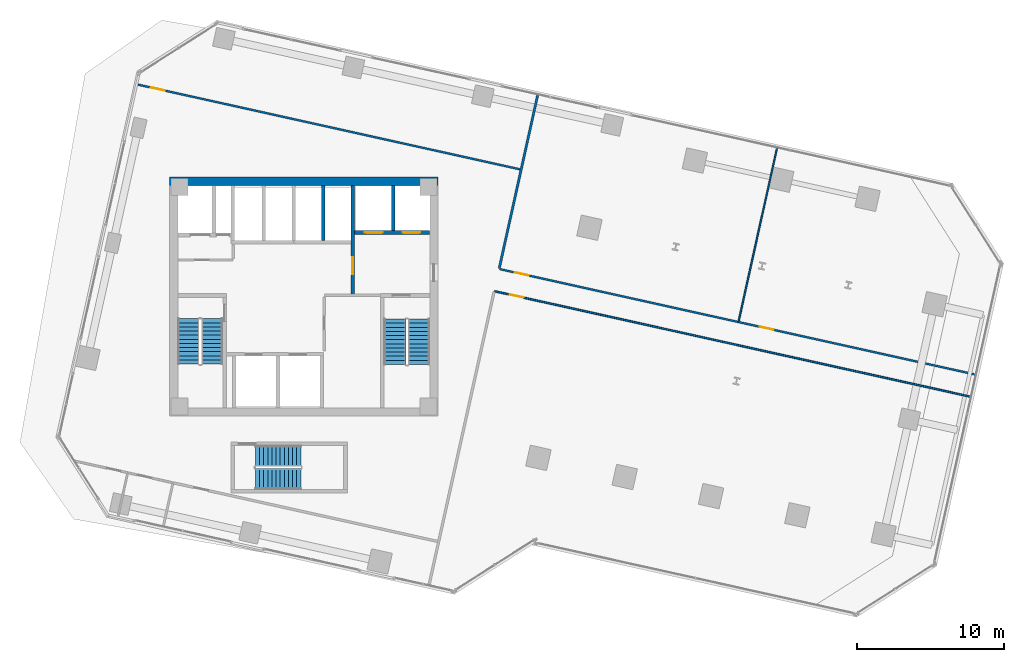
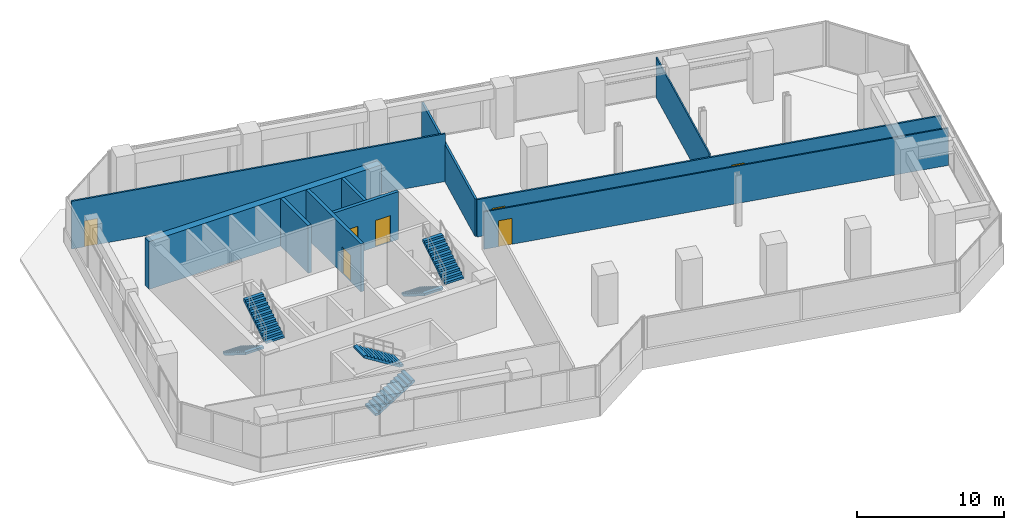
# One storey, part 21 of 25: 10 walls, 7 doors, 6 stair flights, 7 openings, 3 elements without a shape of their own.
"""IFC4 building model written with IfcOpenShell, lengths in metres."""

from ifc_helpers import new_model, si_unit, direction, frame, frame_2d, origin, place, context, subcontext, project, spatial, polyline, rectangle, outline, extrude, source, transform, mapped, material, layer, layer_set, type_object, element, fill, aggregate, save


model = new_model("IFC4")

# Units and contexts
model_context = context("Model", 3, precision=1e-05, world=origin(), true_north=direction((0.0, 1.0)))
body_context = subcontext(model_context, "Body", "Model", "MODEL_VIEW")
ifc_project = project(units=[si_unit("LENGTHUNIT", "METRE"), si_unit("AREAUNIT", "SQUARE_METRE"), si_unit("VOLUMEUNIT", "CUBIC_METRE"), si_unit("PLANEANGLEUNIT", "RADIAN"), si_unit("MASSUNIT", "GRAM", prefix="KILO")], contexts=[model_context])

# Site, building, storey
site_placement = place(None, origin())
site = spatial("IfcSite", under=ifc_project, at=site_placement, CompositionType="ELEMENT")
building_placement = place(site_placement, origin())
building = spatial("IfcBuilding", under=site, at=building_placement, Name="Torre Montelarca", CompositionType="ELEMENT")
storey_placement = place(building_placement, frame((0.0, 0.0, 87.39990234375)))
storey = spatial("IfcBuildingStorey", under=building, at=storey_placement, Name="L19", CompositionType="ELEMENT", Elevation=87.39990234375)

# Wall, opening, door
ifc_material_1 = material(Name="Concrete C40/50", Category="concrete")
ifc_layer_1 = layer(ifc_material_1, 0.25, Name="Concrete C40/50", Category="concrete")
ifc_layer_set_1 = layer_set([ifc_layer_1], Name="Concrete C40/50")
wall_type_1 = type_object("IfcWallType", Name="CW-SHAFT-250", PredefinedType="SHEAR", material=ifc_layer_set_1)
wall_1_placement = place(storey_placement, frame((21.320068359375, 32.1201171875, 0.0), z_axis=(0.0, 0.0, 1.0), x_axis=(0.0, 1.0, 0.0)))
wall_1 = element("IfcWall", 1, at=wall_1_placement, inside=storey, type_object=wall_type_1, Name="L19 Core Shear Wall SH-FFL-W", PredefinedType="SHEAR", context=body_context, shape_type="SweptSolid", body=[
    extrude(rectangle(XDim=7.419921875, YDim=0.25, at=frame_2d((3.7099609375, 0.0))), origin(), (0.0, 0.0, 1.0), 3.960205078125),
])
opening_1_placement = place(wall_1_placement, frame((1.39990234375, 0.0, 0.0)))
opening_1 = element("IfcOpeningElement", 2, at=opening_1_placement, cuts=wall_1, Name="Opening FD-LB1", PredefinedType="OPENING", context=body_context, shape_type="SweptSolid", body=[
    extrude(rectangle(XDim=1.14990234375, YDim=2.199951171875, at=frame_2d((0.574951171875, 1.10009765625))), frame((0.0, 0.135009765625, 0.0), z_axis=(0.0, -1.0, 0.0), x_axis=(1.0, 0.0, 0.0)), (0.0, 0.0, 1.0), 0.27001953125),
])
ifc_material_2 = material(Name="Acoustic timber-veneered fire door", Category="wood")
door_type_1 = type_object("IfcDoorType", Name="DR-LOBBY-115", OperationType="NOTDEFINED", PredefinedType="DOOR", material=ifc_material_2)
shared_shape_1 = source(origin(), body_context, "Body", "SweptSolid", [
    extrude(rectangle(XDim=1.14990234375, YDim=2.199951171875, at=frame_2d((0.574951171875, 1.10009765625))), frame((0.0, 0.02490234375, 0.0), z_axis=(0.0, -1.0, 0.0), x_axis=(1.0, 0.0, 0.0)), (0.0, 0.0, 1.0), 0.050048828125),
])
door_1_placement = place(opening_1_placement, origin())
door_1 = element("IfcDoor", 3, at=door_1_placement, inside=storey, type_object=door_type_1, Name="L19 Lift Lobby to Firefighting Lobby Smoke Door", OperationType="SINGLE_SWING_LEFT", OverallHeight=2.199951171875, OverallWidth=1.14990234375, PredefinedType="DOOR", context=body_context, shape_type="MappedRepresentation", body=[
    mapped(shared_shape_1, transform((0.0, 0.0, 0.0), scale=1.0)),
])
fill(opening_1, door_1)

# Wall, openings, doors
wall_2_placement = place(storey_placement, frame((21.449951171875, 36.35009765625, 0.0), z_axis=(0.0, 0.0, 1.0), x_axis=(1.0, 0.0, 0.0)))
wall_2 = element("IfcWall", 4, at=wall_2_placement, inside=storey, type_object=wall_type_1, Name="L19 Core Shear Wall SH-FF-S", PredefinedType="SHEAR", context=body_context, shape_type="SweptSolid", body=[
    extrude(rectangle(XDim=5.090087890625, YDim=0.25, at=frame_2d((2.544921875, 0.0))), origin(), (0.0, 0.0, 1.0), 3.960205078125),
])
opening_2_placement = place(wall_2_placement, frame((0.699951171875, 0.0, 0.0)))
opening_2 = element("IfcOpeningElement", 5, at=opening_2_placement, cuts=wall_2, Name="Opening LD-120", PredefinedType="OPENING", context=body_context, shape_type="SweptSolid", body=[
    extrude(rectangle(XDim=1.199951171875, YDim=2.199951171875, at=frame_2d((0.60009765625, 1.10009765625))), frame((0.0, 0.135009765625, 0.0), z_axis=(0.0, -1.0, 0.0), x_axis=(1.0, 0.0, 0.0)), (0.0, 0.0, 1.0), 0.27001953125),
])
opening_3_placement = place(wall_2_placement, frame((3.25, 0.0, 0.0)))
opening_3 = element("IfcOpeningElement", 6, at=opening_3_placement, cuts=wall_2, Name="Opening LD-120", PredefinedType="OPENING", context=body_context, shape_type="SweptSolid", body=[
    extrude(rectangle(XDim=1.199951171875, YDim=2.199951171875, at=frame_2d((0.60009765625, 1.10009765625))), frame((0.0, 0.135009765625, 0.0), z_axis=(0.0, -1.0, 0.0), x_axis=(1.0, 0.0, 0.0)), (0.0, 0.0, 1.0), 0.27001953125),
])
ifc_material_3 = material(Name="Brushed stainless steel AISI 316", Category="steel")
door_type_2 = type_object("IfcDoorType", Name="DR-LIFT-120", OperationType="SLIDING_TO_RIGHT", PredefinedType="DOOR", material=ifc_material_3)
shared_shape_2 = source(origin(), body_context, "Body", "SweptSolid", [
    extrude(rectangle(XDim=1.199951171875, YDim=2.199951171875, at=frame_2d((0.60009765625, 1.10009765625))), frame((0.0, 0.02490234375, 0.0), z_axis=(0.0, -1.0, 0.0), x_axis=(1.0, 0.0, 0.0)), (0.0, 0.0, 1.0), 0.050048828125),
])
door_2_placement = place(opening_2_placement, origin())
door_2 = element("IfcDoor", 7, at=door_2_placement, inside=storey, type_object=door_type_2, Name="L19 Lift Landing Sliding Door FF-1", OperationType="SLIDING_TO_LEFT", OverallHeight=2.199951171875, OverallWidth=1.199951171875, PredefinedType="DOOR", context=body_context, shape_type="MappedRepresentation", body=[
    mapped(shared_shape_2, transform((0.0, 0.0, 0.0), scale=1.0)),
])
fill(opening_2, door_2)
door_3_placement = place(opening_3_placement, origin())
door_3 = element("IfcDoor", 8, at=door_3_placement, inside=storey, type_object=door_type_2, Name="L19 Lift Landing Sliding Door FF-2", OperationType="SLIDING_TO_RIGHT", OverallHeight=2.199951171875, OverallWidth=1.199951171875, PredefinedType="DOOR", context=body_context, shape_type="MappedRepresentation", body=[
    mapped(shared_shape_2, transform((0.0, 0.0, 0.0), scale=1.0)),
])
fill(opening_3, door_3)

# Walls
wall_3_placement = place(storey_placement, frame((24.080078125, 36.47998046875, 0.0), z_axis=(0.0, 0.0, 1.0), x_axis=(0.0, 1.0, 0.0)))
element("IfcWall", 9, at=wall_3_placement, inside=storey, type_object=wall_type_1, Name="L19 Core Shear Wall SH-FF-M", PredefinedType="SHEAR", context=body_context, shape_type="SweptSolid", body=[
    extrude(rectangle(XDim=3.06005859375, YDim=0.25, at=frame_2d((1.530029296875, 0.0))), origin(), (0.0, 0.0, 1.0), 3.960205078125),
])
wall_4_placement = place(storey_placement, frame((19.320068359375, 35.81005859375, 0.0), z_axis=(0.0, 0.0, 1.0), x_axis=(0.0, 1.0, 0.0)))
element("IfcWall", 10, at=wall_4_placement, inside=storey, type_object=wall_type_1, Name="L19 Core Shear Wall SH-PLH-M", PredefinedType="SHEAR", context=body_context, shape_type="SweptSolid", body=[
    extrude(rectangle(XDim=3.72998046875, YDim=0.25, at=frame_2d((1.864990234375, 0.0))), origin(), (0.0, 0.0, 1.0), 3.960205078125),
])
ifc_material_4 = material(Name="Concrete C70/85", Category="concrete")
ifc_layer_2 = layer(ifc_material_4, 0.550048828125, Name="Concrete C70/85", Category="concrete")
ifc_layer_set_2 = layer_set([ifc_layer_2], Name="Concrete C70/85")
wall_type_2 = type_object("IfcWallType", Name="CW-SHEAR-550", PredefinedType="SHEAR", material=ifc_layer_set_2)
wall_5_placement = place(storey_placement, frame((8.89990234375, 39.824951171875, 0.0), z_axis=(0.0, 0.0, 1.0), x_axis=(1.0, 0.0, 0.0)))
element("IfcWall", 11, at=wall_5_placement, inside=storey, type_object=wall_type_2, Name="L19 Core Shear Wall CW-N1", PredefinedType="SHEAR", context=body_context, shape_type="SweptSolid", body=[
    extrude(rectangle(XDim=18.2001953125, YDim=0.550048828125, at=frame_2d((9.10009765625, 0.0))), origin(), (0.0, 0.0, 1.0), 3.960205078125),
])
ifc_material_5 = material(Name="Gypsum plasterboard on steel stud", Category="steel")
ifc_layer_3 = layer(ifc_material_5, 0.159912109375, Name="Gypsum plasterboard on steel stud", Category="steel")
ifc_layer_set_3 = layer_set([ifc_layer_3], Name="Gypsum plasterboard on steel stud")
wall_type_3 = type_object("IfcWallType", Name="PW-FIRE-160", PredefinedType="PARTITIONING", material=ifc_layer_set_3)
wall_6_placement = place(storey_placement, frame((31.265380859375, 33.911865234375, 0.0), z_axis=(0.0, 0.0, 1.0), x_axis=(0.216425867349, 0.976299054564, 0.0)))
element("IfcWall", 12, at=wall_6_placement, inside=storey, type_object=wall_type_3, Name="L19 Interior Partition W-L19-ECN", PredefinedType="PARTITIONING", context=body_context, shape_type="SweptSolid", body=[
    extrude(rectangle(XDim=12.039794921875, YDim=0.159912109375, at=frame_2d((6.02001953125, 0.0))), origin(), (0.0, 0.0, 1.0), 3.09521484375),
])
ifc_material_6 = material(Name="Acoustic laminated glass partition", Category="glass")
ifc_layer_4 = layer(ifc_material_6, 0.10009765625, Name="Acoustic laminated glass partition", Category="glass")
ifc_layer_set_4 = layer_set([ifc_layer_4], Name="Acoustic laminated glass partition")
wall_type_4 = type_object("IfcWallType", Name="PW-GLAZ-100", PredefinedType="PARTITIONING", material=ifc_layer_set_4)
wall_7_placement = place(storey_placement, frame((47.510986328125, 30.310302734375, 0.0), z_axis=(0.0, 0.0, 1.0), x_axis=(0.216425867349, 0.976299054564, 0.0)))
element("IfcWall", 13, at=wall_7_placement, inside=storey, type_object=wall_type_4, Name="L19 Interior Partition W-L19-NEDIV-1", PredefinedType="PARTITIONING", context=body_context, shape_type="SweptSolid", body=[
    extrude(rectangle(XDim=12.039794921875, YDim=0.10009765625, at=frame_2d((6.02001953125, 0.0))), origin(), (0.0, 0.0, 1.0), 3.322998046875),
])

# Wall, opening, door
ifc_layer_5 = layer(ifc_material_5, 0.114990234375, Name="Gypsum plasterboard on steel stud", Category="steel")
ifc_layer_set_5 = layer_set([ifc_layer_5], Name="Gypsum plasterboard on steel stud")
wall_type_5 = type_object("IfcWallType", Name="PW-PART-115", PredefinedType="PARTITIONING", material=ifc_layer_set_5)
wall_8_placement = place(storey_placement, frame((30.96240234375, 32.360595703125, 0.0), z_axis=(0.0, 0.0, 1.0), x_axis=(0.976295538171, -0.216441729221, 0.0)))
wall_8 = element("IfcWall", 14, at=wall_8_placement, inside=storey, type_object=wall_type_5, Name="L19 Interior Partition W-L19-SE-N", PredefinedType="PARTITIONING", context=body_context, shape_type="SweptSolid", body=[
    extrude(rectangle(XDim=33.059814453125, YDim=0.114990234375, at=frame_2d((16.52978515625, 0.0))), origin(), (0.0, 0.0, 1.0), 3.09521484375),
])
opening_4_placement = place(wall_8_placement, frame((1.050048828125, 0.0, 0.0)))
opening_4 = element("IfcOpeningElement", 15, at=opening_4_placement, cuts=wall_8, Name="Opening ID-095", PredefinedType="OPENING", context=body_context, shape_type="SweptSolid", body=[
    extrude(rectangle(XDim=0.949951171875, YDim=2.14990234375, at=frame_2d((0.47509765625, 1.074951171875))), frame((0.0, 0.0673828125, 0.0), z_axis=(0.0, -1.0, 0.0), x_axis=(1.0, 0.0, 0.0)), (0.0, 0.0, 1.0), 0.135009765625),
])
ifc_material_7 = material(Name="Hardwood acoustic timber veneer", Category="wood")
door_type_3 = type_object("IfcDoorType", Name="DR-INT-095", OperationType="NOTDEFINED", PredefinedType="DOOR", material=ifc_material_7)
shared_shape_3 = source(origin(), body_context, "Body", "SweptSolid", [
    extrude(rectangle(XDim=0.949951171875, YDim=2.14990234375, at=frame_2d((0.47509765625, 1.074951171875))), frame((0.0, 0.02490234375, 0.0), z_axis=(0.0, -1.0, 0.0), x_axis=(1.0, 0.0, 0.0)), (0.0, 0.0, 1.0), 0.050048828125),
])
door_4_placement = place(opening_4_placement, origin())
door_4 = element("IfcDoor", 16, at=door_4_placement, inside=storey, type_object=door_type_3, Name="L19 Interior Door 09", OperationType="SINGLE_SWING_LEFT", OverallHeight=2.14990234375, OverallWidth=0.949951171875, PredefinedType="DOOR", context=body_context, shape_type="MappedRepresentation", body=[
    mapped(shared_shape_3, transform((0.0, 0.0, 0.0), scale=1.0)),
])
fill(opening_4, door_4)

ifc_layer_6 = layer(ifc_material_5, 0.135009765625, Name="Gypsum plasterboard on steel stud", Category="steel")
ifc_layer_set_6 = layer_set([ifc_layer_6], Name="Gypsum plasterboard on steel stud")
wall_type_6 = type_object("IfcWallType", Name="PW-PART-135", PredefinedType="PARTITIONING", material=ifc_layer_set_6)
wall_9_placement = place(storey_placement, frame((6.74365234375, 46.384765625, 0.0), z_axis=(0.0, 0.0, 1.0), x_axis=(0.976297719541, -0.216431889561, 0.0)))
wall_9 = element("IfcWall", 17, at=wall_9_placement, inside=storey, type_object=wall_type_6, Name="L19 Interior Partition W-L19-NBOT", PredefinedType="PARTITIONING", context=body_context, shape_type="SweptSolid", body=[
    extrude(rectangle(XDim=26.599853515625, YDim=0.135009765625, at=frame_2d((13.2998046875, 0.0))), origin(), (0.0, 0.0, 1.0), 3.960205078125),
])
opening_5_placement = place(wall_9_placement, frame((0.909912109375, 0.0, 0.0)))
opening_5 = element("IfcOpeningElement", 18, at=opening_5_placement, cuts=wall_9, Name="Opening ID-095", PredefinedType="OPENING", context=body_context, shape_type="SweptSolid", body=[
    extrude(rectangle(XDim=0.949951171875, YDim=2.14990234375, at=frame_2d((0.47509765625, 1.074951171875))), frame((0.0, 0.07763671875, 0.0), z_axis=(0.0, -1.0, 0.0), x_axis=(1.0, 0.0, 0.0)), (0.0, 0.0, 1.0), 0.155029296875),
])
door_5_placement = place(opening_5_placement, origin())
door_5 = element("IfcDoor", 19, at=door_5_placement, inside=storey, type_object=door_type_3, Name="L19 Interior Door 06", OperationType="SINGLE_SWING_LEFT", OverallHeight=2.14990234375, OverallWidth=0.949951171875, PredefinedType="DOOR", context=body_context, shape_type="MappedRepresentation", body=[
    mapped(shared_shape_3, transform((0.0, 0.0, 0.0), scale=1.0)),
])
fill(opening_5, door_5)

# Wall, openings, doors
wall_10_placement = place(storey_placement, frame((31.295654296875, 33.864013671875, 0.0), z_axis=(0.0, 0.0, 1.0), x_axis=(0.976295884124, -0.216440168738, 0.0)))
wall_10 = element("IfcWall", 20, at=wall_10_placement, inside=storey, type_object=wall_type_6, Name="L19 Interior Partition W-L19-NE-S", PredefinedType="PARTITIONING", context=body_context, shape_type="SweptSolid", body=[
    extrude(rectangle(XDim=33.06005859375, YDim=0.135009765625, at=frame_2d((16.530029296875, 0.0))), origin(), (0.0, 0.0, 1.0), 3.09521484375),
])
opening_6_placement = place(wall_10_placement, frame((1.050048828125, 0.0, 0.0)))
opening_6 = element("IfcOpeningElement", 21, at=opening_6_placement, cuts=wall_10, Name="Opening ID-095", PredefinedType="OPENING", context=body_context, shape_type="SweptSolid", body=[
    extrude(rectangle(XDim=0.949951171875, YDim=2.14990234375, at=frame_2d((0.47509765625, 1.074951171875))), frame((0.0, 0.07763671875, 0.0), z_axis=(0.0, -1.0, 0.0), x_axis=(1.0, 0.0, 0.0)), (0.0, 0.0, 1.0), 0.155029296875),
])
opening_7_placement = place(wall_10_placement, frame((18.090087890625, 0.0, 0.0)))
opening_7 = element("IfcOpeningElement", 22, at=opening_7_placement, cuts=wall_10, Name="Opening ID-095", PredefinedType="OPENING", context=body_context, shape_type="SweptSolid", body=[
    extrude(rectangle(XDim=0.949951171875, YDim=2.14990234375, at=frame_2d((0.47509765625, 1.074951171875))), frame((0.0, 0.07763671875, 0.0), z_axis=(0.0, -1.0, 0.0), x_axis=(1.0, 0.0, 0.0)), (0.0, 0.0, 1.0), 0.155029296875),
])
door_6_placement = place(opening_6_placement, origin())
door_6 = element("IfcDoor", 23, at=door_6_placement, inside=storey, type_object=door_type_3, Name="L19 Interior Door 07", OperationType="SINGLE_SWING_LEFT", OverallHeight=2.14990234375, OverallWidth=0.949951171875, PredefinedType="DOOR", context=body_context, shape_type="MappedRepresentation", body=[
    mapped(shared_shape_3, transform((0.0, 0.0, 0.0), scale=1.0)),
])
fill(opening_6, door_6)
door_7_placement = place(opening_7_placement, origin())
door_7 = element("IfcDoor", 24, at=door_7_placement, inside=storey, type_object=door_type_3, Name="L19 Interior Door 08", OperationType="SINGLE_SWING_RIGHT", OverallHeight=2.14990234375, OverallWidth=0.949951171875, PredefinedType="DOOR", context=body_context, shape_type="MappedRepresentation", body=[
    mapped(shared_shape_3, transform((0.0, 0.0, 0.0), scale=1.0)),
])
fill(opening_7, door_7)

# Stair, stair flights
stair_type_1 = type_object("IfcStairType", Name="ST-CORE-ST1", PredefinedType="HALF_TURN_STAIR", material=ifc_material_1)
stair_1_placement = place(storey_placement, origin())
stair_1 = element("IfcStair", 25, at=stair_1_placement, inside=storey, type_object=stair_type_1, Name="L19 Protected Exit Stair ST1", PredefinedType="HALF_TURN_STAIR")
stair_flight_type_1 = type_object("IfcStairFlightType", Name="SFL-CORE-ST1", PredefinedType="STRAIGHT", material=ifc_material_1)
stair_flight_1_placement = place(storey_placement, frame((10.175048828125, 30.5, 0.0), z_axis=(0.0, 0.0, 1.0), x_axis=(0.0, -1.0, 0.0)))
stair_flight_1 = element("IfcStairFlight", 26, at=stair_flight_1_placement, type_object=stair_flight_type_1, Name="ST1 flight 1", NumberOfRisers=12, NumberOfTreads=11, PredefinedType="STRAIGHT", RiserHeight=0.175, TreadLength=0.28, context=body_context, shape_type="SweptSolid", body=[
    extrude(outline(polyline([(0.0, 0.0), (0.0, 0.175048828125), (0.280029296875, 0.175048828125), (0.280029296875, 0.35009765625), (0.56005859375, 0.35009765625), (0.56005859375, 0.52490234375), (0.840087890625, 0.52490234375), (0.840087890625, 0.699951171875), (1.1201171875, 0.699951171875), (1.1201171875, 0.875), (1.39990234375, 0.875), (1.39990234375, 1.050048828125), (1.679931640625, 1.050048828125), (1.679931640625, 1.22509765625), (1.9599609375, 1.22509765625), (1.9599609375, 1.39990234375), (2.239990234375, 1.39990234375), (2.239990234375, 1.574951171875), (2.52001953125, 1.574951171875), (2.52001953125, 1.75), (2.800048828125, 1.75), (2.800048828125, 1.925048828125), (3.080078125, 1.925048828125), (3.080078125, 2.10009765625), (3.080078125, 1.748291015625), (0.28271484375, 0.0), (0.0, 0.0)])), frame((0.0, 0.72509765625, 0.0), z_axis=(0.0, -1.0, 0.0), x_axis=(1.0, 0.0, 0.0)), (0.0, 0.0, 1.0), 1.449951171875),
])
stair_flight_2_placement = place(storey_placement, frame((11.77490234375, 27.419921875, 2.10009765625), z_axis=(0.0, 0.0, 1.0), x_axis=(0.0, 1.0, 0.0)))
stair_flight_2 = element("IfcStairFlight", 27, at=stair_flight_2_placement, type_object=stair_flight_type_1, Name="ST1 flight 2", NumberOfRisers=12, NumberOfTreads=11, PredefinedType="STRAIGHT", RiserHeight=0.175, TreadLength=0.28, context=body_context, shape_type="SweptSolid", body=[
    extrude(outline(polyline([(0.0, 0.0), (0.0, 0.175048828125), (0.280029296875, 0.175048828125), (0.280029296875, 0.35009765625), (0.56005859375, 0.35009765625), (0.56005859375, 0.52490234375), (0.840087890625, 0.52490234375), (0.840087890625, 0.699951171875), (1.1201171875, 0.699951171875), (1.1201171875, 0.875), (1.39990234375, 0.875), (1.39990234375, 1.050048828125), (1.679931640625, 1.050048828125), (1.679931640625, 1.22509765625), (1.9599609375, 1.22509765625), (1.9599609375, 1.39990234375), (2.239990234375, 1.39990234375), (2.239990234375, 1.574951171875), (2.52001953125, 1.574951171875), (2.52001953125, 1.75), (2.800048828125, 1.75), (2.800048828125, 1.925048828125), (3.080078125, 1.925048828125), (3.080078125, 2.10009765625), (3.080078125, 1.748291015625), (0.28271484375, 0.0), (0.0, 0.0)])), frame((0.0, 0.72509765625, 0.0), z_axis=(0.0, -1.0, 0.0), x_axis=(1.0, 0.0, 0.0)), (0.0, 0.0, 1.0), 1.449951171875),
])
aggregate(stair_1, [stair_flight_1, stair_flight_2])

stair_type_2 = type_object("IfcStairType", Name="ST-CORE-ST2", PredefinedType="HALF_TURN_STAIR", material=ifc_material_1)
stair_2_placement = place(storey_placement, origin())
stair_2 = element("IfcStair", 28, at=stair_2_placement, inside=storey, type_object=stair_type_2, Name="L19 Protected Exit Stair ST2", PredefinedType="HALF_TURN_STAIR")
stair_flight_type_2 = type_object("IfcStairFlightType", Name="SFL-CORE-ST2", PredefinedType="STRAIGHT", material=ifc_material_1)
stair_flight_3_placement = place(storey_placement, frame((24.179931640625, 30.469970703125, 0.0), z_axis=(0.0, 0.0, 1.0), x_axis=(0.0, -1.0, 0.0)))
stair_flight_3 = element("IfcStairFlight", 29, at=stair_flight_3_placement, type_object=stair_flight_type_2, Name="ST2 flight 1", NumberOfRisers=12, NumberOfTreads=11, PredefinedType="STRAIGHT", RiserHeight=0.175, TreadLength=0.28, context=body_context, shape_type="SweptSolid", body=[
    extrude(outline(polyline([(0.0, 0.0), (0.0, 0.175048828125), (0.280029296875, 0.175048828125), (0.280029296875, 0.35009765625), (0.56005859375, 0.35009765625), (0.56005859375, 0.52490234375), (0.840087890625, 0.52490234375), (0.840087890625, 0.699951171875), (1.1201171875, 0.699951171875), (1.1201171875, 0.875), (1.39990234375, 0.875), (1.39990234375, 1.050048828125), (1.679931640625, 1.050048828125), (1.679931640625, 1.22509765625), (1.9599609375, 1.22509765625), (1.9599609375, 1.39990234375), (2.239990234375, 1.39990234375), (2.239990234375, 1.574951171875), (2.52001953125, 1.574951171875), (2.52001953125, 1.75), (2.800048828125, 1.75), (2.800048828125, 1.925048828125), (3.080078125, 1.925048828125), (3.080078125, 2.10009765625), (3.080078125, 1.748291015625), (0.28271484375, 0.0), (0.0, 0.0)])), frame((0.0, 0.739990234375, 0.0), z_axis=(0.0, -1.0, 0.0), x_axis=(1.0, 0.0, 0.0)), (0.0, 0.0, 1.0), 1.47998046875),
])
stair_flight_4_placement = place(storey_placement, frame((25.81005859375, 27.389892578125, 2.10009765625), z_axis=(0.0, 0.0, 1.0), x_axis=(0.0, 1.0, 0.0)))
stair_flight_4 = element("IfcStairFlight", 30, at=stair_flight_4_placement, type_object=stair_flight_type_2, Name="ST2 flight 2", NumberOfRisers=12, NumberOfTreads=11, PredefinedType="STRAIGHT", RiserHeight=0.175, TreadLength=0.28, context=body_context, shape_type="SweptSolid", body=[
    extrude(outline(polyline([(0.0, 0.0), (0.0, 0.175048828125), (0.280029296875, 0.175048828125), (0.280029296875, 0.35009765625), (0.56005859375, 0.35009765625), (0.56005859375, 0.52490234375), (0.840087890625, 0.52490234375), (0.840087890625, 0.699951171875), (1.1201171875, 0.699951171875), (1.1201171875, 0.875), (1.39990234375, 0.875), (1.39990234375, 1.050048828125), (1.679931640625, 1.050048828125), (1.679931640625, 1.22509765625), (1.9599609375, 1.22509765625), (1.9599609375, 1.39990234375), (2.239990234375, 1.39990234375), (2.239990234375, 1.574951171875), (2.52001953125, 1.574951171875), (2.52001953125, 1.75), (2.800048828125, 1.75), (2.800048828125, 1.925048828125), (3.080078125, 1.925048828125), (3.080078125, 2.10009765625), (3.080078125, 1.748291015625), (0.28271484375, 0.0), (0.0, 0.0)])), frame((0.0, 0.739990234375, 0.0), z_axis=(0.0, -1.0, 0.0), x_axis=(1.0, 0.0, 0.0)), (0.0, 0.0, 1.0), 1.47998046875),
])
aggregate(stair_2, [stair_flight_3, stair_flight_4])

stair_type_3 = type_object("IfcStairType", Name="ST-CORE-ST3", PredefinedType="HALF_TURN_STAIR", material=ifc_material_1)
stair_3_placement = place(storey_placement, origin())
stair_3 = element("IfcStair", 31, at=stair_3_placement, inside=storey, type_object=stair_type_3, Name="L19 Low-Rise Exit Stair ST3", PredefinedType="HALF_TURN_STAIR")
stair_flight_type_3 = type_object("IfcStairFlightType", Name="SFL-CORE-ST3", PredefinedType="STRAIGHT", material=ifc_material_1)
stair_flight_5_placement = place(storey_placement, frame((14.719970703125, 19.610107421875, 0.0), z_axis=(0.0, 0.0, 1.0), x_axis=(1.0, 0.0, 0.0)))
stair_flight_5 = element("IfcStairFlight", 32, at=stair_flight_5_placement, type_object=stair_flight_type_3, Name="ST3 flight 1", NumberOfRisers=12, NumberOfTreads=11, PredefinedType="STRAIGHT", RiserHeight=0.175, TreadLength=0.28, context=body_context, shape_type="SweptSolid", body=[
    extrude(outline(polyline([(0.0, 0.0), (0.0, 0.175048828125), (0.280029296875, 0.175048828125), (0.280029296875, 0.35009765625), (0.56005859375, 0.35009765625), (0.56005859375, 0.52490234375), (0.840087890625, 0.52490234375), (0.840087890625, 0.699951171875), (1.1201171875, 0.699951171875), (1.1201171875, 0.875), (1.39990234375, 0.875), (1.39990234375, 1.050048828125), (1.679931640625, 1.050048828125), (1.679931640625, 1.22509765625), (1.9599609375, 1.22509765625), (1.9599609375, 1.39990234375), (2.239990234375, 1.39990234375), (2.239990234375, 1.574951171875), (2.52001953125, 1.574951171875), (2.52001953125, 1.75), (2.800048828125, 1.75), (2.800048828125, 1.925048828125), (3.080078125, 1.925048828125), (3.080078125, 2.10009765625), (3.080078125, 1.748291015625), (0.28271484375, 0.0), (0.0, 0.0)])), frame((0.0, 0.7099609375, 0.0), z_axis=(0.0, -1.0, 0.0), x_axis=(1.0, 0.0, 0.0)), (0.0, 0.0, 1.0), 1.419921875),
])
stair_flight_6_placement = place(storey_placement, frame((17.800048828125, 21.179931640625, 2.10009765625), z_axis=(0.0, 0.0, 1.0), x_axis=(-1.0, 0.0, 0.0)))
stair_flight_6 = element("IfcStairFlight", 33, at=stair_flight_6_placement, type_object=stair_flight_type_3, Name="ST3 flight 2", NumberOfRisers=12, NumberOfTreads=11, PredefinedType="STRAIGHT", RiserHeight=0.175, TreadLength=0.28, context=body_context, shape_type="SweptSolid", body=[
    extrude(outline(polyline([(0.0, 0.0), (0.0, 0.175048828125), (0.280029296875, 0.175048828125), (0.280029296875, 0.35009765625), (0.56005859375, 0.35009765625), (0.56005859375, 0.52490234375), (0.840087890625, 0.52490234375), (0.840087890625, 0.699951171875), (1.1201171875, 0.699951171875), (1.1201171875, 0.875), (1.39990234375, 0.875), (1.39990234375, 1.050048828125), (1.679931640625, 1.050048828125), (1.679931640625, 1.22509765625), (1.9599609375, 1.22509765625), (1.9599609375, 1.39990234375), (2.239990234375, 1.39990234375), (2.239990234375, 1.574951171875), (2.52001953125, 1.574951171875), (2.52001953125, 1.75), (2.800048828125, 1.75), (2.800048828125, 1.925048828125), (3.080078125, 1.925048828125), (3.080078125, 2.10009765625), (3.080078125, 1.748291015625), (0.28271484375, 0.0), (0.0, 0.0)])), frame((0.0, 0.7099609375, 0.0), z_axis=(0.0, -1.0, 0.0), x_axis=(1.0, 0.0, 0.0)), (0.0, 0.0, 1.0), 1.419921875),
])
aggregate(stair_3, [stair_flight_5, stair_flight_6])

save(model, "model.ifc")
